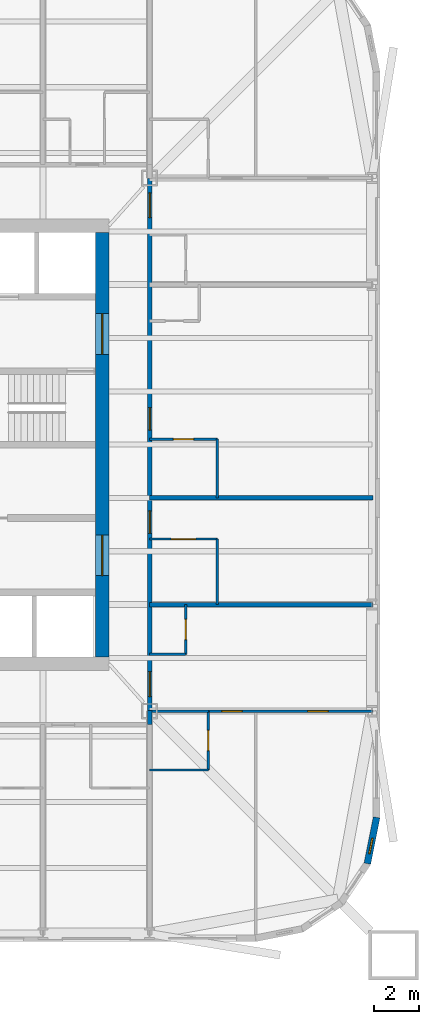
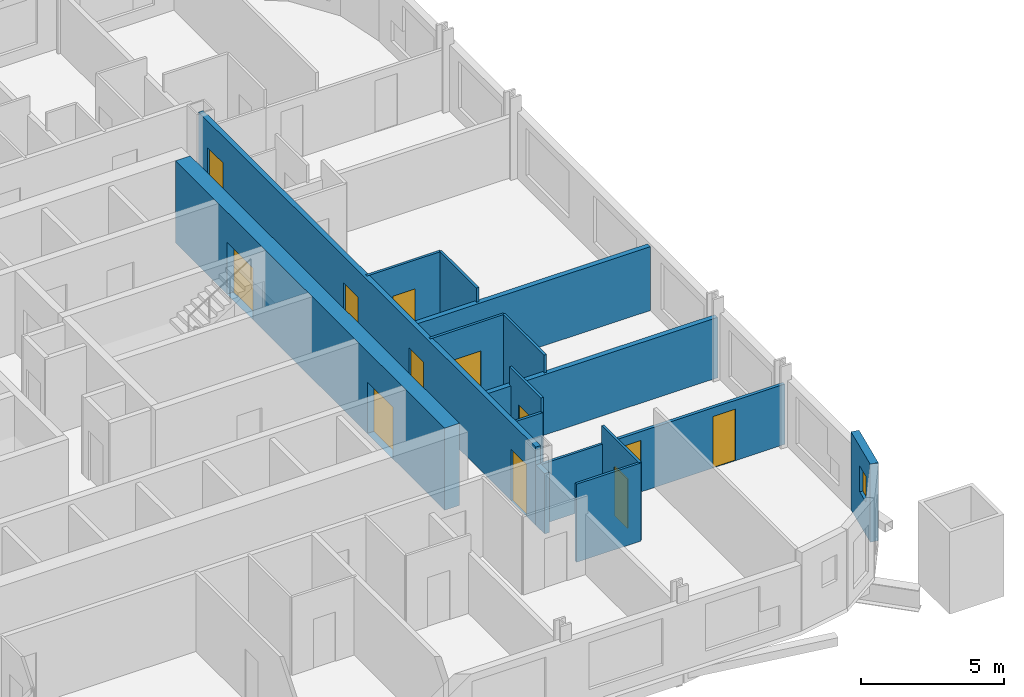
# One storey, part 6 of 10: 16 walls, 12 doors, 1 window, 13 openings.
"""IFC4 building model written with IfcOpenShell, lengths in metres."""

import ifcopenshell
import ifcopenshell.guid

model = None  # the IFC model being written
_history = None  # IfcOwnerHistory: only IFC2X3 demands one
_inside = {}  # id of a spatial element -> (the spatial element, [elements in it])
_under = {}  # id of a project, library or spatial element -> (it, [spatial elements below it])
_declared = {}  # id of a project -> (the project, [libraries it declares])
_typed = {}  # id of a type object -> (the type object, [elements of that type])
_made_of = {}  # id of a material, layer set ... -> (it, [elements and type objects made of it])


def new_model(schema):
    """Start an empty IFC model of exactly this schema.

    Asked for "IFC4X3", IfcOpenShell would pick the latest addendum, in which some entities
    have other attributes; the version numbers below select the first issue.
    IFC2X3 requires an IfcOwnerHistory on every rooted entity: one is made here for all.
    """
    global model, _history
    if schema == "IFC4X3":
        model = ifcopenshell.file(schema_version=(4, 3, 0, 0))
    else:
        model = ifcopenshell.file(schema=schema)
    _inside.clear()
    _under.clear()
    _declared.clear()
    _typed.clear()
    _made_of.clear()
    _history = None
    if model.schema == "IFC2X3":
        org = make("IfcOrganization", Name="unknown")
        user = make(
            "IfcPersonAndOrganization",
            ThePerson=make("IfcPerson", FamilyName="unknown"),
            TheOrganization=org,
        )
        app = make(
            "IfcApplication",
            ApplicationDeveloper=org,
            Version="unknown",
            ApplicationFullName="unknown",
            ApplicationIdentifier="unknown",
        )
        _history = make(
            "IfcOwnerHistory",
            OwningUser=user,
            OwningApplication=app,
            ChangeAction="ADDED",
            CreationDate=0,
        )
    return model


def make(cls, **values):
    """One entity of the class cls with the attributes given. An attribute that is None is left unset."""
    return model.create_entity(
        cls, **{name: value for name, value in values.items() if value is not None}
    )


def rooted(cls, **values):
    """An entity with a GlobalId (a new one), such as an element, a storey or a relation."""
    return make(cls, GlobalId=ifcopenshell.guid.new(), OwnerHistory=_history, **values)


def si_unit(unit_type, name, prefix=None):
    """IfcSIUnit, for example si_unit("LENGTHUNIT", "METRE", prefix="MILLI")."""
    return make("IfcSIUnit", UnitType=unit_type, Prefix=prefix, Name=name)


def assignment(units):
    """IfcUnitAssignment: the units of a project."""
    return None if units is None else make("IfcUnitAssignment", Units=units)


def point(xyz):
    """IfcCartesianPoint."""
    return None if xyz is None else make("IfcCartesianPoint", Coordinates=xyz)


def direction(xyz):
    """IfcDirection."""
    return None if xyz is None else make("IfcDirection", DirectionRatios=xyz)


def frame(location, z_axis=None, x_axis=None):
    """IfcAxis2Placement3D, a coordinate frame: its origin and axes. An axis left out is left unset."""
    return make(
        "IfcAxis2Placement3D",
        Location=point(location),
        Axis=direction(z_axis),
        RefDirection=direction(x_axis),
    )


def frame_2d(location, x_axis=None):
    """IfcAxis2Placement2D, a coordinate frame in the plane: its origin and x axis."""
    return make(
        "IfcAxis2Placement2D", Location=point(location), RefDirection=direction(x_axis)
    )


def origin():
    """The frame at (0, 0, 0) with its axes left unset."""
    return frame((0.0, 0.0, 0.0))


def place(relative_to, where):
    """IfcLocalPlacement: puts the frame where relative to a parent placement (None: the world)."""
    return make(
        "IfcLocalPlacement", PlacementRelTo=relative_to, RelativePlacement=where
    )


def context(
    kind, dimensions, precision=None, world=None, true_north=None, identifier=None
):
    """IfcGeometricRepresentationContext, for example the 3D "Model" context."""
    return make(
        "IfcGeometricRepresentationContext",
        ContextIdentifier=identifier,
        ContextType=kind,
        CoordinateSpaceDimension=dimensions,
        Precision=precision,
        WorldCoordinateSystem=world,
        TrueNorth=true_north,
    )


def subcontext(parent, identifier, kind, view, scale=None):
    """IfcGeometricRepresentationSubContext, for example "Body" below "Model"."""
    return make(
        "IfcGeometricRepresentationSubContext",
        ContextIdentifier=identifier,
        ContextType=kind,
        ParentContext=parent,
        TargetScale=scale,
        TargetView=view,
    )


def project(units=None, contexts=None):
    """IfcProject with its units and contexts."""
    return rooted(
        "IfcProject",
        Name="project",
        RepresentationContexts=contexts,
        UnitsInContext=assignment(units),
    )


def spatial(cls, under=None, at=None, **own):
    """A site, building, storey or space (cls), placed at a placement, below another one or the project."""
    s = rooted(cls, ObjectPlacement=at, **own)
    if under is not None:
        _under.setdefault(under.id(), (under, []))[1].append(s)
    return s


def profile(cls, at=None, kind="AREA", **sizes):
    """A parametric profile (cls). Its sizes go by their IFC names, for example OverallWidth=200.0."""
    return make(cls, ProfileType=kind, Position=at, **sizes)


def rectangle(**sizes):
    """IfcRectangleProfileDef."""
    return profile("IfcRectangleProfileDef", **sizes)


def extrude(swept, where, along, depth):
    """IfcExtrudedAreaSolid: the profile swept, set in the frame where, extruded along a direction by depth."""
    return make(
        "IfcExtrudedAreaSolid",
        SweptArea=swept,
        Position=where,
        ExtrudedDirection=direction(along),
        Depth=depth,
    )


def shape(context_of_items, identifier, shape_type, items):
    """IfcShapeRepresentation: the items that make up one representation, for example the "Body"."""
    return make(
        "IfcShapeRepresentation",
        ContextOfItems=context_of_items,
        RepresentationIdentifier=identifier,
        RepresentationType=shape_type,
        Items=items,
    )


def material(Name=None, Category=None):
    """IfcMaterial."""
    return make("IfcMaterial", Name=Name, Category=Category)


def layer(
    of_material, thickness, ventilated=None, Name=None, Category=None, Priority=None
):
    """IfcMaterialLayer: one layer of a wall or slab, of a material (None: an air gap)."""
    return make(
        "IfcMaterialLayer",
        Material=of_material,
        LayerThickness=thickness,
        IsVentilated=ventilated,
        Name=Name,
        Category=Category,
        Priority=Priority,
    )


def layer_set(layers, Name=None):
    """IfcMaterialLayerSet."""
    return make("IfcMaterialLayerSet", MaterialLayers=layers, LayerSetName=Name)


def made_of(thing, what):
    """Note that an element or type object is made of a material, layer set ...; save() writes the relation."""
    if what is not None:
        _made_of.setdefault(what.id(), (what, []))[1].append(thing)
    return thing


def type_object(cls, material=None, **own):
    """A type object (cls), such as IfcWallType, which elements share."""
    return made_of(rooted(cls, **own), material)


def element(
    cls,
    number,
    at=None,
    inside=None,
    cuts=None,
    type_object=None,
    material=None,
    context=None,
    identifier="Body",
    shape_type=None,
    held_by="IfcProductDefinitionShape",
    body=None,
    shapes=None,
    **own,
):
    """One element of the class cls, such as IfcWall. Its Tag is "e" and its number.

    at: its placement. inside: the storey or other place that contains it. cuts: it is an
    opening in that element (IfcRelVoidsElement). A single representation is given by context,
    identifier, shape_type and body (its items); several are given by shapes. held_by: the class
    of the entity that holds the representations. save() writes the other relations.
    """
    e = rooted(cls, Tag="e%d" % number, ObjectPlacement=at, **own)
    if body is not None:
        shapes = [shape(context, identifier, shape_type, body)]
    if shapes is not None:
        e.Representation = make(held_by, Representations=shapes)
    if inside is not None:
        _inside.setdefault(inside.id(), (inside, []))[1].append(e)
    if cuts is not None:
        rooted(
            "IfcRelVoidsElement", RelatingBuildingElement=cuts, RelatedOpeningElement=e
        )
    if type_object is not None:
        _typed.setdefault(type_object.id(), (type_object, []))[1].append(e)
    return made_of(e, material)


def fill(opening, filler):
    """IfcRelFillsElement: the door or window that sits in an opening."""
    return rooted(
        "IfcRelFillsElement",
        RelatingOpeningElement=opening,
        RelatedBuildingElement=filler,
    )


def aggregate(whole, parts):
    """IfcRelAggregates: a whole, such as a stair, and the parts it consists of."""
    return rooted("IfcRelAggregates", RelatingObject=whole, RelatedObjects=parts)


def save(model, path):
    """Write the relations noted so far, then the file.

    IfcRelAggregates (storeys below a building ...), IfcRelContainedInSpatialStructure (elements
    in a storey), IfcRelDefinesByType, IfcRelAssociatesMaterial and IfcRelDeclares: one each for
    every whole, place, type object, material and project.
    """
    for whole, parts in _under.values():
        aggregate(whole, parts)
    for where, things in _inside.values():
        rooted(
            "IfcRelContainedInSpatialStructure",
            RelatedElements=things,
            RelatingStructure=where,
        )
    for kind, things in _typed.values():
        rooted("IfcRelDefinesByType", RelatedObjects=things, RelatingType=kind)
    for what, things in _made_of.values():
        rooted("IfcRelAssociatesMaterial", RelatedObjects=things, RelatingMaterial=what)
    for by, libraries in _declared.values():
        rooted("IfcRelDeclares", RelatingContext=by, RelatedDefinitions=libraries)
    model.write(path)


model = new_model("IFC4")

# Units and contexts
model_context = context("Model", 3, precision=1e-05, world=origin(), true_north=direction((0.0, 1.0)))
body_context = subcontext(model_context, "Body", "Model", "MODEL_VIEW")
ifc_project = project(units=[si_unit("LENGTHUNIT", "METRE"), si_unit("AREAUNIT", "SQUARE_METRE"), si_unit("VOLUMEUNIT", "CUBIC_METRE"), si_unit("PLANEANGLEUNIT", "RADIAN"), si_unit("MASSUNIT", "GRAM", prefix="KILO")], contexts=[model_context])

# Site, building, storey
site_placement = place(None, origin())
site = spatial("IfcSite", under=ifc_project, at=site_placement, CompositionType="ELEMENT")
building_placement = place(site_placement, origin())
building = spatial("IfcBuilding", under=site, at=building_placement, Name="Turquesa Mirador Hotel Tower", CompositionType="ELEMENT")
storey_placement = place(building_placement, frame((0.0, 0.0, 32.0)))
storey = spatial("IfcBuildingStorey", under=building, at=storey_placement, Name="L07", CompositionType="ELEMENT", Elevation=32.0)

# Walls
ifc_material_1 = material(Name="Gypsum board on steel studs", Category="steel")
ifc_layer_1 = layer(ifc_material_1, 0.10009765625)
ifc_layer_set_1 = layer_set([ifc_layer_1], Name="BATHROOM WALL 100")
wall_type_1 = type_object("IfcWallType", Name="BATHROOM WALL 100", PredefinedType="PARTITIONING", material=ifc_layer_set_1)
wall_1_placement = place(storey_placement, frame((66.800048828125, 33.199951171875, 0.0), z_axis=(0.0, 0.0, 1.0), x_axis=(1.0, 0.0, 0.0)))
element("IfcWall", 1, at=wall_1_placement, inside=storey, type_object=wall_type_1, Name="Partition L07 003", PredefinedType="PARTITIONING", context=body_context, shape_type="SweptSolid", body=[
    extrude(rectangle(XDim=2.599853515625, YDim=0.10009765625, at=frame_2d((1.2998046875, 0.0))), origin(), (0.0, 0.0, 1.0), 2.572998046875),
])
wall_2_placement = place(storey_placement, frame((66.800048828125, 30.60009765625, 0.0), z_axis=(0.0, 0.0, 1.0), x_axis=(1.0, 0.0, 0.0)))
element("IfcWall", 2, at=wall_2_placement, inside=storey, type_object=wall_type_1, Name="Partition L07 008", PredefinedType="PARTITIONING", context=body_context, shape_type="SweptSolid", body=[
    extrude(rectangle(XDim=2.599853515625, YDim=0.10009765625, at=frame_2d((1.2998046875, 0.0))), origin(), (0.0, 0.0, 1.0), 3.330078125),
])

# Wall, opening, door
wall_3_placement = place(storey_placement, frame((66.800048828125, 40.820068359375, 0.0), z_axis=(0.0, 0.0, 1.0), x_axis=(1.0, 0.0, 0.0)))
wall_3 = element("IfcWall", 3, at=wall_3_placement, inside=storey, type_object=wall_type_1, Name="Partition L07 015", PredefinedType="PARTITIONING", context=body_context, shape_type="SweptSolid", body=[
    extrude(rectangle(XDim=3.0, YDim=0.10009765625, at=frame_2d((1.5, 0.0))), origin(), (0.0, 0.0, 1.0), 3.330078125),
])
opening_1_placement = place(wall_3_placement, frame((0.949951171875, 0.0, 0.0)))
opening_1 = element("IfcOpeningElement", 4, at=opening_1_placement, cuts=wall_3, Name="Opening D16", PredefinedType="OPENING", context=body_context, shape_type="SweptSolid", body=[
    extrude(rectangle(XDim=1.10009765625, YDim=2.10009765625, at=frame_2d((0.550048828125, 1.050048828125))), frame((0.0, 0.06005859375, 0.0), z_axis=(0.0, -1.0, 0.0), x_axis=(1.0, 0.0, 0.0)), (0.0, 0.0, 1.0), 0.1201171875),
])
ifc_material_2 = material(Name="Timber veneered sliding door", Category="wood")
door_type_1 = type_object("IfcDoorType", Name="DOOR 1100X2100 ACCESSIBLE EN-SUITE", OperationType="SLIDING_TO_LEFT", PredefinedType="DOOR", material=ifc_material_2)
door_1_placement = place(opening_1_placement, origin())
door_1 = element("IfcDoor", 5, at=door_1_placement, inside=storey, type_object=door_type_1, Name="Door 0707B", OperationType="SLIDING_TO_LEFT", OverallHeight=2.10009765625, OverallWidth=1.10009765625, PredefinedType="DOOR", context=body_context, shape_type="SweptSolid", body=[
    extrude(rectangle(XDim=1.10009765625, YDim=2.10009765625, at=frame_2d((0.550048828125, 1.050048828125))), frame((0.0, 0.02490234375, 0.0), z_axis=(0.0, -1.0, 0.0), x_axis=(1.0, 0.0, 0.0)), (0.0, 0.0, 1.0), 0.050048828125),
])
fill(opening_1, door_1)

# Wall
wall_4_placement = place(storey_placement, frame((66.800048828125, 35.719970703125, 0.0), z_axis=(0.0, 0.0, 1.0), x_axis=(1.0, 0.0, 0.0)))
element("IfcWall", 6, at=wall_4_placement, inside=storey, type_object=wall_type_1, Name="Partition L07 021", PredefinedType="PARTITIONING", context=body_context, shape_type="SweptSolid", body=[
    extrude(rectangle(XDim=1.599853515625, YDim=0.10009765625, at=frame_2d((0.7998046875, 0.0))), origin(), (0.0, 0.0, 1.0), 2.722900390625),
])

# Wall, opening, door
wall_5_placement = place(storey_placement, frame((66.800048828125, 45.239990234375, 0.0), z_axis=(0.0, 0.0, 1.0), x_axis=(1.0, 0.0, 0.0)))
wall_5 = element("IfcWall", 7, at=wall_5_placement, inside=storey, type_object=wall_type_1, Name="Partition L07 022", PredefinedType="PARTITIONING", context=body_context, shape_type="SweptSolid", body=[
    extrude(rectangle(XDim=3.0, YDim=0.10009765625, at=frame_2d((1.5, 0.0))), origin(), (0.0, 0.0, 1.0), 3.330078125),
])
opening_2_placement = place(wall_5_placement, frame((1.050048828125, 0.0, 0.0)))
opening_2 = element("IfcOpeningElement", 8, at=opening_2_placement, cuts=wall_5, Name="Opening D02", PredefinedType="OPENING", context=body_context, shape_type="SweptSolid", body=[
    extrude(rectangle(XDim=0.89990234375, YDim=2.10009765625, at=frame_2d((0.449951171875, 1.050048828125))), frame((0.0, 0.06005859375, 0.0), z_axis=(0.0, -1.0, 0.0), x_axis=(1.0, 0.0, 0.0)), (0.0, 0.0, 1.0), 0.1201171875),
])
ifc_material_3 = material(Name="Timber veneered door", Category="wood")
door_type_2 = type_object("IfcDoorType", Name="DOOR 900X2100 EN-SUITE", OperationType="SINGLE_SWING_RIGHT", PredefinedType="DOOR", material=ifc_material_3)
door_2_placement = place(opening_2_placement, origin())
door_2 = element("IfcDoor", 9, at=door_2_placement, inside=storey, type_object=door_type_2, Name="Door 0708B", OperationType="SINGLE_SWING_RIGHT", OverallHeight=2.10009765625, OverallWidth=0.89990234375, PredefinedType="DOOR", context=body_context, shape_type="SweptSolid", body=[
    extrude(rectangle(XDim=0.89990234375, YDim=2.10009765625, at=frame_2d((0.449951171875, 1.050048828125))), frame((0.0, 0.02490234375, 0.0), z_axis=(0.0, -1.0, 0.0), x_axis=(1.0, 0.0, 0.0)), (0.0, 0.0, 1.0), 0.050048828125),
])
fill(opening_2, door_2)

wall_6_placement = place(storey_placement, frame((68.39990234375, 35.719970703125, 0.0), z_axis=(0.0, 0.0, 1.0), x_axis=(0.0, 1.0, 0.0)))
wall_6 = element("IfcWall", 10, at=wall_6_placement, inside=storey, type_object=wall_type_1, Name="Partition L07 069", PredefinedType="PARTITIONING", context=body_context, shape_type="SweptSolid", body=[
    extrude(rectangle(XDim=2.199951171875, YDim=0.10009765625, at=frame_2d((1.10009765625, 0.0))), origin(), (0.0, 0.0, 1.0), 3.330078125),
])
opening_3_placement = place(wall_6_placement, frame((0.64990234375, 0.0, 0.0)))
opening_3 = element("IfcOpeningElement", 11, at=opening_3_placement, cuts=wall_6, Name="Opening D06", PredefinedType="OPENING", context=body_context, shape_type="SweptSolid", body=[
    extrude(rectangle(XDim=0.89990234375, YDim=2.10009765625, at=frame_2d((0.449951171875, 1.050048828125))), frame((0.0, 0.06005859375, 0.0), z_axis=(0.0, -1.0, 0.0), x_axis=(1.0, 0.0, 0.0)), (0.0, 0.0, 1.0), 0.1201171875),
])
ifc_material_4 = material(Name="Laminate door", Category="wood")
door_type_3 = type_object("IfcDoorType", Name="DOOR 900X2100 WC", OperationType="SINGLE_SWING_LEFT", PredefinedType="DOOR", material=ifc_material_4)
door_3_placement = place(opening_3_placement, origin())
door_3 = element("IfcDoor", 12, at=door_3_placement, inside=storey, type_object=door_type_3, Name="Door 0715W", OperationType="SINGLE_SWING_LEFT", OverallHeight=2.10009765625, OverallWidth=0.89990234375, PredefinedType="DOOR", context=body_context, shape_type="SweptSolid", body=[
    extrude(rectangle(XDim=0.89990234375, YDim=2.10009765625, at=frame_2d((0.449951171875, 1.050048828125))), frame((0.0, 0.02490234375, 0.0), z_axis=(0.0, -1.0, 0.0), x_axis=(1.0, 0.0, 0.0)), (0.0, 0.0, 1.0), 0.050048828125),
])
fill(opening_3, door_3)

wall_7_placement = place(storey_placement, frame((69.39990234375, 30.60009765625, 0.0), z_axis=(0.0, 0.0, 1.0), x_axis=(0.0, 1.0, 0.0)))
wall_7 = element("IfcWall", 13, at=wall_7_placement, inside=storey, type_object=wall_type_1, Name="Partition L07 072", PredefinedType="PARTITIONING", context=body_context, shape_type="SweptSolid", body=[
    extrude(rectangle(XDim=2.599853515625, YDim=0.10009765625, at=frame_2d((1.2998046875, 0.0))), origin(), (0.0, 0.0, 1.0), 3.330078125),
])
opening_4_placement = place(wall_7_placement, frame((0.85009765625, 0.0, 0.0)))
opening_4 = element("IfcOpeningElement", 14, at=opening_4_placement, cuts=wall_7, Name="Opening D02", PredefinedType="OPENING", context=body_context, shape_type="SweptSolid", body=[
    extrude(rectangle(XDim=0.89990234375, YDim=2.10009765625, at=frame_2d((0.449951171875, 1.050048828125))), frame((0.0, 0.06005859375, 0.0), z_axis=(0.0, -1.0, 0.0), x_axis=(1.0, 0.0, 0.0)), (0.0, 0.0, 1.0), 0.1201171875),
])
door_4_placement = place(opening_4_placement, origin())
door_4 = element("IfcDoor", 15, at=door_4_placement, inside=storey, type_object=door_type_2, Name="Door 0715B", OperationType="SINGLE_SWING_RIGHT", OverallHeight=2.10009765625, OverallWidth=0.89990234375, PredefinedType="DOOR", context=body_context, shape_type="SweptSolid", body=[
    extrude(rectangle(XDim=0.89990234375, YDim=2.10009765625, at=frame_2d((0.449951171875, 1.050048828125))), frame((0.0, 0.02490234375, 0.0), z_axis=(0.0, -1.0, 0.0), x_axis=(1.0, 0.0, 0.0)), (0.0, 0.0, 1.0), 0.050048828125),
])
fill(opening_4, door_4)

# Walls
wall_8_placement = place(storey_placement, frame((69.800048828125, 37.919921875, 0.0), z_axis=(0.0, 0.0, 1.0), x_axis=(0.0, 1.0, 0.0)))
element("IfcWall", 16, at=wall_8_placement, inside=storey, type_object=wall_type_1, Name="Partition L07 074", PredefinedType="PARTITIONING", context=body_context, shape_type="SweptSolid", body=[
    extrude(rectangle(XDim=2.900146484375, YDim=0.10009765625, at=frame_2d((1.4501953125, 0.0))), origin(), (0.0, 0.0, 1.0), 3.330078125),
])
wall_9_placement = place(storey_placement, frame((69.800048828125, 42.639892578125, 0.0), z_axis=(0.0, 0.0, 1.0), x_axis=(0.0, 1.0, 0.0)))
element("IfcWall", 17, at=wall_9_placement, inside=storey, type_object=wall_type_1, Name="Partition L07 075", PredefinedType="PARTITIONING", context=body_context, shape_type="SweptSolid", body=[
    extrude(rectangle(XDim=2.60009765625, YDim=0.10009765625, at=frame_2d((1.300048828125, 0.0))), origin(), (0.0, 0.0, 1.0), 3.330078125),
])

# Wall, openings, doors
ifc_material_5 = material(Name="Concrete C50/60", Category="concrete")
ifc_layer_2 = layer(ifc_material_5, 0.60009765625)
ifc_layer_set_2 = layer_set([ifc_layer_2], Name="CORE WALL 600")
wall_type_2 = type_object("IfcWallType", Name="CORE WALL 600", PredefinedType="SHEAR", material=ifc_layer_set_2)
wall_10_placement = place(storey_placement, frame((64.699951171875, 35.60009765625, 0.0), z_axis=(0.0, 0.0, 1.0), x_axis=(0.0, 1.0, 0.0)))
wall_10 = element("IfcWall", 18, at=wall_10_placement, inside=storey, type_object=wall_type_2, Name="Core wall E", PredefinedType="SHEAR", context=body_context, shape_type="SweptSolid", body=[
    extrude(rectangle(XDim=18.7998046875, YDim=0.60009765625, at=frame_2d((9.39990234375, 0.0))), origin(), (0.0, 0.0, 1.0), 3.5),
])
opening_5_placement = place(wall_10_placement, frame((13.39990234375, 0.0, 0.0)))
opening_5 = element("IfcOpeningElement", 19, at=opening_5_placement, cuts=wall_10, Name="Opening D04", PredefinedType="OPENING", context=body_context, shape_type="SweptSolid", body=[
    extrude(rectangle(XDim=1.800048828125, YDim=2.199951171875, at=frame_2d((0.89990234375, 1.10009765625))), frame((0.0, 0.31005859375, 0.0), z_axis=(0.0, -1.0, 0.0), x_axis=(1.0, 0.0, 0.0)), (0.0, 0.0, 1.0), 0.6201171875),
])
opening_6_placement = place(wall_10_placement, frame((3.60009765625, 0.0, 0.0)))
opening_6 = element("IfcOpeningElement", 20, at=opening_6_placement, cuts=wall_10, Name="Opening D04", PredefinedType="OPENING", context=body_context, shape_type="SweptSolid", body=[
    extrude(rectangle(XDim=1.800048828125, YDim=2.199951171875, at=frame_2d((0.89990234375, 1.10009765625))), frame((0.0, 0.31005859375, 0.0), z_axis=(0.0, -1.0, 0.0), x_axis=(1.0, 0.0, 0.0)), (0.0, 0.0, 1.0), 0.6201171875),
])
ifc_material_6 = material(Name="Steel fire door pair", Category="steel")
door_type_4 = type_object("IfcDoorType", Name="DOOR 1800X2200 PAIR", OperationType="DOUBLE_DOOR_SINGLE_SWING", PredefinedType="DOOR", material=ifc_material_6)
door_5_placement = place(opening_5_placement, origin())
door_5 = element("IfcDoor", 21, at=door_5_placement, inside=storey, type_object=door_type_4, Name="Firefighting lobby door", OperationType="DOUBLE_DOOR_SINGLE_SWING", OverallHeight=2.199951171875, OverallWidth=1.800048828125, PredefinedType="DOOR", context=body_context, shape_type="SweptSolid", body=[
    extrude(rectangle(XDim=1.800048828125, YDim=2.199951171875, at=frame_2d((0.89990234375, 1.10009765625))), frame((0.0, 0.02490234375, 0.0), z_axis=(0.0, -1.0, 0.0), x_axis=(1.0, 0.0, 0.0)), (0.0, 0.0, 1.0), 0.050048828125),
])
fill(opening_5, door_5)
door_6_placement = place(opening_6_placement, origin())
door_6 = element("IfcDoor", 22, at=door_6_placement, inside=storey, type_object=door_type_4, Name="South lift lobby door", OperationType="DOUBLE_DOOR_SINGLE_SWING", OverallHeight=2.199951171875, OverallWidth=1.800048828125, PredefinedType="DOOR", context=body_context, shape_type="SweptSolid", body=[
    extrude(rectangle(XDim=1.800048828125, YDim=2.199951171875, at=frame_2d((0.89990234375, 1.10009765625))), frame((0.0, 0.02490234375, 0.0), z_axis=(0.0, -1.0, 0.0), x_axis=(1.0, 0.0, 0.0)), (0.0, 0.0, 1.0), 0.050048828125),
])
fill(opening_6, door_6)

ifc_material_7 = material(Name="Fire-rated gypsum board on steel studs", Category="steel")
ifc_layer_3 = layer(ifc_material_7, 0.199951171875)
ifc_layer_set_3 = layer_set([ifc_layer_3], Name="CORRIDOR WALL 200")
wall_type_3 = type_object("IfcWallType", Name="CORRIDOR WALL 200", PredefinedType="PARTITIONING", material=ifc_layer_set_3)
wall_11_placement = place(storey_placement, frame((66.800048828125, 33.219970703125, 0.0), z_axis=(0.0, 0.0, 1.0), x_axis=(0.0, 1.0, 0.0)))
wall_11 = element("IfcWall", 23, at=wall_11_placement, inside=storey, type_object=wall_type_3, Name="Partition L07 066", PredefinedType="PARTITIONING", context=body_context, shape_type="SweptSolid", body=[
    extrude(rectangle(XDim=23.56005859375, YDim=0.199951171875, at=frame_2d((11.780029296875, 0.0))), origin(), (0.0, 0.0, 1.0), 3.330078125),
])
opening_7_placement = place(wall_11_placement, frame((7.85009765625, 0.0, 0.0)))
opening_7 = element("IfcOpeningElement", 24, at=opening_7_placement, cuts=wall_11, Name="Opening D01", PredefinedType="OPENING", context=body_context, shape_type="SweptSolid", body=[
    extrude(rectangle(XDim=1.0, YDim=2.199951171875, at=frame_2d((0.5, 1.10009765625))), frame((0.0, 0.10986328125, 0.0), z_axis=(0.0, -1.0, 0.0), x_axis=(1.0, 0.0, 0.0)), (0.0, 0.0, 1.0), 0.219970703125),
])
opening_8_placement = place(wall_11_placement, frame((12.419921875, 0.0, 0.0)))
opening_8 = element("IfcOpeningElement", 25, at=opening_8_placement, cuts=wall_11, Name="Opening D01", PredefinedType="OPENING", context=body_context, shape_type="SweptSolid", body=[
    extrude(rectangle(XDim=1.0, YDim=2.199951171875, at=frame_2d((0.5, 1.10009765625))), frame((0.0, 0.10986328125, 0.0), z_axis=(0.0, -1.0, 0.0), x_axis=(1.0, 0.0, 0.0)), (0.0, 0.0, 1.0), 0.219970703125),
])
opening_9_placement = place(wall_11_placement, frame((21.830078125, 0.0, 0.0)))
opening_9 = element("IfcOpeningElement", 26, at=opening_9_placement, cuts=wall_11, Name="Opening D15", PredefinedType="OPENING", context=body_context, shape_type="SweptSolid", body=[
    extrude(rectangle(XDim=1.10009765625, YDim=2.199951171875, at=frame_2d((0.550048828125, 1.10009765625))), frame((0.0, 0.10986328125, 0.0), z_axis=(0.0, -1.0, 0.0), x_axis=(1.0, 0.0, 0.0)), (0.0, 0.0, 1.0), 0.219970703125),
])
opening_10_placement = place(wall_11_placement, frame((0.6298828125, 0.0, 0.0)))
opening_10 = element("IfcOpeningElement", 27, at=opening_10_placement, cuts=wall_11, Name="Opening D15", PredefinedType="OPENING", context=body_context, shape_type="SweptSolid", body=[
    extrude(rectangle(XDim=1.10009765625, YDim=2.199951171875, at=frame_2d((0.550048828125, 1.10009765625))), frame((0.0, 0.10986328125, 0.0), z_axis=(0.0, -1.0, 0.0), x_axis=(1.0, 0.0, 0.0)), (0.0, 0.0, 1.0), 0.219970703125),
])
ifc_material_8 = material(Name="Timber veneered fire door", Category="wood")
door_type_5 = type_object("IfcDoorType", Name="DOOR 1000X2200 GUEST ENTRY", OperationType="SINGLE_SWING_LEFT", PredefinedType="DOOR", material=ifc_material_8)
door_7_placement = place(opening_7_placement, origin())
door_7 = element("IfcDoor", 28, at=door_7_placement, inside=storey, type_object=door_type_5, Name="Door 0707", OperationType="SINGLE_SWING_LEFT", OverallHeight=2.199951171875, OverallWidth=1.0, PredefinedType="DOOR", context=body_context, shape_type="SweptSolid", body=[
    extrude(rectangle(XDim=1.0, YDim=2.199951171875, at=frame_2d((0.5, 1.10009765625))), frame((0.0, 0.02490234375, 0.0), z_axis=(0.0, -1.0, 0.0), x_axis=(1.0, 0.0, 0.0)), (0.0, 0.0, 1.0), 0.050048828125),
])
fill(opening_7, door_7)
door_8_placement = place(opening_8_placement, origin())
door_8 = element("IfcDoor", 29, at=door_8_placement, inside=storey, type_object=door_type_5, Name="Door 0708", OperationType="SINGLE_SWING_LEFT", OverallHeight=2.199951171875, OverallWidth=1.0, PredefinedType="DOOR", context=body_context, shape_type="SweptSolid", body=[
    extrude(rectangle(XDim=1.0, YDim=2.199951171875, at=frame_2d((0.5, 1.10009765625))), frame((0.0, 0.02490234375, 0.0), z_axis=(0.0, -1.0, 0.0), x_axis=(1.0, 0.0, 0.0)), (0.0, 0.0, 1.0), 0.050048828125),
])
fill(opening_8, door_8)
ifc_material_9 = material(Name="Timber veneered fire door", Category="wood")
door_type_6 = type_object("IfcDoorType", Name="DOOR 1100X2200 SUITE ENTRY", OperationType="SINGLE_SWING_LEFT", PredefinedType="DOOR", material=ifc_material_9)
door_9_placement = place(opening_9_placement, origin())
door_9 = element("IfcDoor", 30, at=door_9_placement, inside=storey, type_object=door_type_6, Name="Door 0712", OperationType="SINGLE_SWING_LEFT", OverallHeight=2.199951171875, OverallWidth=1.10009765625, PredefinedType="DOOR", context=body_context, shape_type="SweptSolid", body=[
    extrude(rectangle(XDim=1.10009765625, YDim=2.199951171875, at=frame_2d((0.550048828125, 1.10009765625))), frame((0.0, 0.02490234375, 0.0), z_axis=(0.0, -1.0, 0.0), x_axis=(1.0, 0.0, 0.0)), (0.0, 0.0, 1.0), 0.050048828125),
])
fill(opening_9, door_9)
door_10_placement = place(opening_10_placement, origin())
door_10 = element("IfcDoor", 31, at=door_10_placement, inside=storey, type_object=door_type_6, Name="Door 0715", OperationType="SINGLE_SWING_LEFT", OverallHeight=2.199951171875, OverallWidth=1.10009765625, PredefinedType="DOOR", context=body_context, shape_type="SweptSolid", body=[
    extrude(rectangle(XDim=1.10009765625, YDim=2.199951171875, at=frame_2d((0.550048828125, 1.10009765625))), frame((0.0, 0.02490234375, 0.0), z_axis=(0.0, -1.0, 0.0), x_axis=(1.0, 0.0, 0.0)), (0.0, 0.0, 1.0), 0.050048828125),
])
fill(opening_10, door_10)

# Wall
wall_12_placement = place(storey_placement, frame((66.800048828125, 32.60009765625, 0.0), z_axis=(0.0, 0.0, 1.0), x_axis=(0.0, 1.0, 0.0)))
element("IfcWall", 32, at=wall_12_placement, inside=storey, type_object=wall_type_3, Name="Partition L07 090", PredefinedType="PARTITIONING", context=body_context, shape_type="SweptSolid", body=[
    extrude(rectangle(XDim=0.619873046875, YDim=0.199951171875, at=frame_2d((0.31005859375, 0.0))), origin(), (0.0, 0.0, 1.0), 2.572998046875),
])

# Wall, opening, window
ifc_material_10 = material(Name="Limestone cladding on concrete block", Category="masonry")
ifc_layer_4 = layer(ifc_material_10, 0.300048828125)
ifc_layer_set_4 = layer_set([ifc_layer_4], Name="FACADE WALL 300 STONE SCREEN")
wall_type_4 = type_object("IfcWallType", Name="FACADE WALL 300 STONE SCREEN", PredefinedType="SOLIDWALL", material=ifc_layer_set_4)
wall_13_placement = place(storey_placement, frame((76.44287109375, 26.45263671875, 0.0), z_axis=(0.0, 0.0, 1.0), x_axis=(0.195081421501, 0.980787050784, 0.0)))
wall_13 = element("IfcWall", 33, at=wall_13_placement, inside=storey, type_object=wall_type_4, Name="Facade wall L07 03", PredefinedType="SOLIDWALL", context=body_context, shape_type="SweptSolid", body=[
    extrude(rectangle(XDim=2.08740234375, YDim=0.300048828125, at=frame_2d((1.043701171875, 0.0))), origin(), (0.0, 0.0, 1.0), 3.330078125),
])
opening_11_placement = place(wall_13_placement, frame((0.443603515625, 0.0, 1.39990234375)))
opening_11 = element("IfcOpeningElement", 34, at=opening_11_placement, cuts=wall_13, Name="Opening WN16", PredefinedType="OPENING", context=body_context, shape_type="SweptSolid", body=[
    extrude(rectangle(XDim=0.699951171875, YDim=1.10009765625, at=frame_2d((0.35009765625, 0.550048828125))), frame((0.0, 0.159912109375, 0.0), z_axis=(0.0, -1.0, 0.0), x_axis=(1.0, 0.0, 0.0)), (0.0, 0.0, 1.0), 0.320068359375),
])
ifc_material_11 = material(Name="Ceramic-fritted laminated glass", Category="glass")
window_type = type_object("IfcWindowType", Name="FRITTED CORNER WINDOW 700X1100", PartitioningType="DOUBLE_PANEL_HORIZONTAL", PredefinedType="WINDOW", material=ifc_material_11)
window_placement = place(opening_11_placement, origin())
window = element("IfcWindow", 35, at=window_placement, inside=storey, type_object=window_type, Name="Window L07", OverallHeight=1.10009765625, OverallWidth=0.699951171875, PartitioningType="SINGLE_PANEL", PredefinedType="WINDOW", context=body_context, shape_type="SweptSolid", body=[
    extrude(rectangle(XDim=0.699951171875, YDim=1.10009765625, at=frame_2d((0.35009765625, 0.550048828125))), frame((0.0, 0.030029296875, 0.0), z_axis=(0.0, -1.0, 0.0), x_axis=(1.0, 0.0, 0.0)), (0.0, 0.0, 1.0), 0.06005859375),
])
fill(opening_11, window)

# Walls
ifc_material_12 = material(Name="Fire-rated gypsum board on steel studs", Category="steel")
ifc_layer_5 = layer(ifc_material_12, 0.199951171875)
ifc_layer_set_5 = layer_set([ifc_layer_5], Name="PARTY WALL 200")
wall_type_5 = type_object("IfcWallType", Name="PARTY WALL 200", PredefinedType="PARTITIONING", material=ifc_layer_set_5)
wall_14_placement = place(storey_placement, frame((66.800048828125, 42.639892578125, 0.0), z_axis=(0.0, 0.0, 1.0), x_axis=(1.0, 0.0, 0.0)))
element("IfcWall", 36, at=wall_14_placement, inside=storey, type_object=wall_type_5, Name="Partition L07 014", PredefinedType="PARTITIONING", context=body_context, shape_type="SweptSolid", body=[
    extrude(rectangle(XDim=9.89990234375, YDim=0.199951171875, at=frame_2d((4.949951171875, 0.0))), origin(), (0.0, 0.0, 1.0), 2.722900390625),
])
wall_15_placement = place(storey_placement, frame((66.800048828125, 37.919921875, 0.0), z_axis=(0.0, 0.0, 1.0), x_axis=(1.0, 0.0, 0.0)))
element("IfcWall", 37, at=wall_15_placement, inside=storey, type_object=wall_type_5, Name="Partition L07 019", PredefinedType="PARTITIONING", context=body_context, shape_type="SweptSolid", body=[
    extrude(rectangle(XDim=9.89990234375, YDim=0.199951171875, at=frame_2d((4.949951171875, 0.0))), origin(), (0.0, 0.0, 1.0), 2.572998046875),
])

# Wall, openings, doors
ifc_material_13 = material(Name="Acoustic gypsum board on steel studs", Category="steel")
ifc_layer_6 = layer(ifc_material_13, 0.125)
ifc_layer_set_6 = layer_set([ifc_layer_6], Name="SUITE PARTITION 125")
wall_type_6 = type_object("IfcWallType", Name="SUITE PARTITION 125", PredefinedType="PARTITIONING", material=ifc_layer_set_6)
wall_16_placement = place(storey_placement, frame((69.39990234375, 33.199951171875, 0.0), z_axis=(0.0, 0.0, 1.0), x_axis=(1.0, 0.0, 0.0)))
wall_16 = element("IfcWall", 38, at=wall_16_placement, inside=storey, type_object=wall_type_6, Name="Partition L07 005", PredefinedType="PARTITIONING", context=body_context, shape_type="SweptSolid", body=[
    extrude(rectangle(XDim=7.300048828125, YDim=0.125, at=frame_2d((3.64990234375, 0.0))), origin(), (0.0, 0.0, 1.0), 2.572998046875),
])
opening_12_placement = place(wall_16_placement, frame((0.60009765625, 0.0, 0.0)))
opening_12 = element("IfcOpeningElement", 39, at=opening_12_placement, cuts=wall_16, Name="Opening D17", PredefinedType="OPENING", context=body_context, shape_type="SweptSolid", body=[
    extrude(rectangle(XDim=0.89990234375, YDim=2.199951171875, at=frame_2d((0.449951171875, 1.10009765625))), frame((0.0, 0.072509765625, 0.0), z_axis=(0.0, -1.0, 0.0), x_axis=(1.0, 0.0, 0.0)), (0.0, 0.0, 1.0), 0.14501953125),
])
opening_13_placement = place(wall_16_placement, frame((4.39990234375, 0.0, 0.0)))
opening_13 = element("IfcOpeningElement", 40, at=opening_13_placement, cuts=wall_16, Name="Opening D17", PredefinedType="OPENING", context=body_context, shape_type="SweptSolid", body=[
    extrude(rectangle(XDim=0.89990234375, YDim=2.199951171875, at=frame_2d((0.449951171875, 1.10009765625))), frame((0.0, 0.072509765625, 0.0), z_axis=(0.0, -1.0, 0.0), x_axis=(1.0, 0.0, 0.0)), (0.0, 0.0, 1.0), 0.14501953125),
])
ifc_material_14 = material(Name="Timber veneered door", Category="wood")
door_type_7 = type_object("IfcDoorType", Name="DOOR 900X2200 SUITE INTERNAL", OperationType="SINGLE_SWING_LEFT", PredefinedType="DOOR", material=ifc_material_14)
door_11_placement = place(opening_12_placement, origin())
door_11 = element("IfcDoor", 41, at=door_11_placement, inside=storey, type_object=door_type_7, Name="Door 0715R", OperationType="SINGLE_SWING_LEFT", OverallHeight=2.199951171875, OverallWidth=0.89990234375, PredefinedType="DOOR", context=body_context, shape_type="SweptSolid", body=[
    extrude(rectangle(XDim=0.89990234375, YDim=2.199951171875, at=frame_2d((0.449951171875, 1.10009765625))), frame((0.0, 0.02490234375, 0.0), z_axis=(0.0, -1.0, 0.0), x_axis=(1.0, 0.0, 0.0)), (0.0, 0.0, 1.0), 0.050048828125),
])
fill(opening_12, door_11)
door_12_placement = place(opening_13_placement, origin())
door_12 = element("IfcDoor", 42, at=door_12_placement, inside=storey, type_object=door_type_7, Name="Door 0715S", OperationType="SINGLE_SWING_LEFT", OverallHeight=2.199951171875, OverallWidth=0.89990234375, PredefinedType="DOOR", context=body_context, shape_type="SweptSolid", body=[
    extrude(rectangle(XDim=0.89990234375, YDim=2.199951171875, at=frame_2d((0.449951171875, 1.10009765625))), frame((0.0, 0.02490234375, 0.0), z_axis=(0.0, -1.0, 0.0), x_axis=(1.0, 0.0, 0.0)), (0.0, 0.0, 1.0), 0.050048828125),
])
fill(opening_13, door_12)

save(model, "model.ifc")
